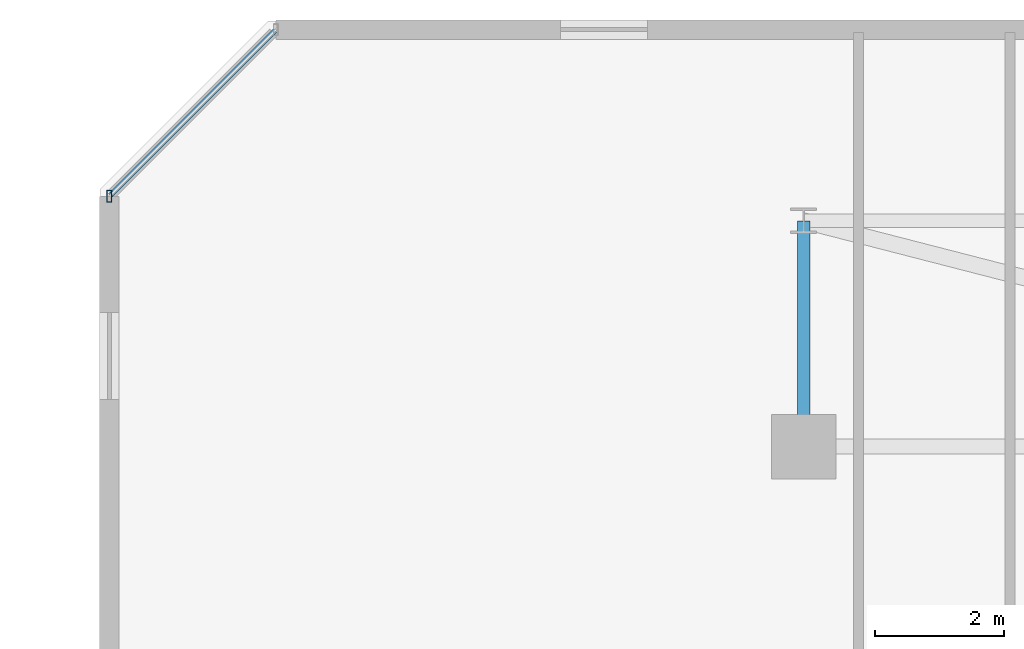
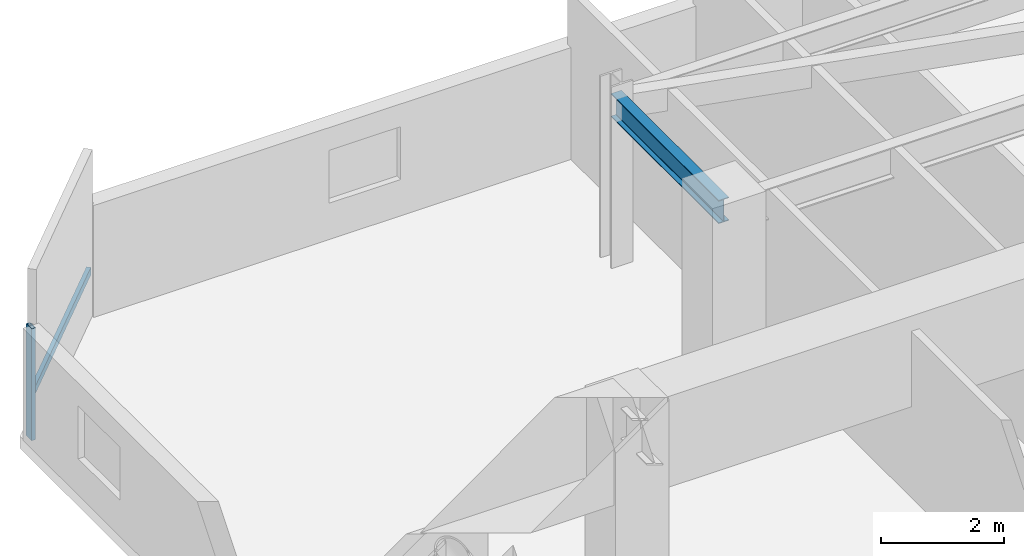
# One storey, part 7 of 35: 2 members, 1 beam, 1 element without a shape of its own.
"""IFC4 building model written with IfcOpenShell, lengths in metres."""

from ifc_helpers import new_model, si_unit, direction, frame, origin, origin_2d, place, context, subcontext, project, spatial, hollow_rectangle, i_section, extrude, material, material_profile, profile_set, type_object, element, aggregate, save


model = new_model("IFC4")

# Units and contexts
model_context = context("Model", 3, precision=1e-05, world=origin(), true_north=direction((0.0, 1.0)))
body_context = subcontext(model_context, "Body", "Model", "MODEL_VIEW")
ifc_project = project(units=[si_unit("LENGTHUNIT", "METRE"), si_unit("AREAUNIT", "SQUARE_METRE"), si_unit("VOLUMEUNIT", "CUBIC_METRE"), si_unit("PLANEANGLEUNIT", "RADIAN"), si_unit("MASSUNIT", "GRAM", prefix="KILO")], contexts=[model_context])

# Site, building, storey
site_placement = place(None, origin())
site = spatial("IfcSite", under=ifc_project, at=site_placement, CompositionType="ELEMENT")
building_placement = place(site_placement, origin())
building = spatial("IfcBuilding", under=site, at=building_placement, Name="Thornwick Lancets Civic Towers", CompositionType="ELEMENT")
storey_placement = place(building_placement, frame((0.0, 0.0, 225.89990234375)))
storey = spatial("IfcBuildingStorey", under=building, at=storey_placement, Name="L60", CompositionType="ELEMENT", Elevation=225.89990234375)

# Beam
ifc_material_1 = material(Name="Steel S355JR", Category="steel")
ifc_material_profile_1 = material_profile(ifc_material_1, i_section(OverallWidth=0.19189453125, OverallDepth=0.46337890625, WebThickness=0.010498046875, FlangeThickness=0.017578125, FilletRadius=0.01025390625, at=origin_2d()), Name="UKB 457x191x89")
ifc_profile_set_1 = profile_set([ifc_material_profile_1], Name="Steel S355JR")
beam_type = type_object("IfcBeamType", Name="BM_JOIST_457_89", PredefinedType="JOIST", material=ifc_profile_set_1)
beam_placement = place(storey_placement, frame((12.5, 44.300048828125, 3.08837890625), z_axis=(0.0, 1.0, 0.0), x_axis=(-1.0, 0.0, 0.0)))
element("IfcBeam", 1, at=beam_placement, inside=storey, type_object=beam_type, Name="BM-RAD-L60-A07", PredefinedType="JOIST", context=body_context, shape_type="SweptSolid", body=[
    extrude(i_section(OverallWidth=0.19189453125, OverallDepth=0.46337890625, WebThickness=0.010498046875, FlangeThickness=0.017578125, FilletRadius=0.01025390625, at=origin_2d()), origin(), (0.0, 0.0, 1.0), 3.5),
])

# Curtain wall, members
ifc_material_2 = material(Name="High-zone chamfered-corner unitised glass curtain wall", Category="glass")
curtain_wall_type = type_object("IfcCurtainWallType", Name="CW_SYS_05", PredefinedType="NOTDEFINED", material=ifc_material_2)
curtain_wall_placement = place(storey_placement, origin())
curtain_wall = element("IfcCurtainWall", 2, at=curtain_wall_placement, inside=storey, type_object=curtain_wall_type, Name="L60 Curtain Wall CW-L60-A-E5", PredefinedType="NOTDEFINED")
ifc_material_3 = material(Name="Thermally broken bronze aluminium S355", Category="steel")
ifc_material_profile_2 = material_profile(ifc_material_3, hollow_rectangle(XDim=0.074951171875, YDim=0.179931640625, WallThickness=0.006103515625, at=origin_2d()), Name="RHS 180x75x6")
ifc_profile_set_2 = profile_set([ifc_material_profile_2], Name="Thermally broken bronze aluminium S355")
member_type_1 = type_object("IfcMemberType", Name="CW_MUL_180", PredefinedType="MULLION", material=ifc_profile_set_2)
member_1_placement = place(storey_placement, frame((1.7353515625, 48.181396484375, 0.0), z_axis=(0.0, 0.0, 1.0), x_axis=(1.0, 0.0, 0.0)))
member_1 = element("IfcMember", 3, at=member_1_placement, type_object=member_type_1, Name="CW-L60-A-E5 Mullion 1", PredefinedType="MULLION", context=body_context, shape_type="SweptSolid", body=[
    extrude(hollow_rectangle(XDim=0.074951171875, YDim=0.179931640625, WallThickness=0.006103515625, at=origin_2d()), origin(), (0.0, 0.0, 1.0), 2.22021484375),
])
ifc_material_profile_3 = material_profile(ifc_material_3, hollow_rectangle(XDim=0.074951171875, YDim=0.14990234375, WallThickness=0.0048828125, at=origin_2d()), Name="RHS 150x75x5")
ifc_profile_set_3 = profile_set([ifc_material_profile_3], Name="Thermally broken bronze aluminium S355")
member_type_2 = type_object("IfcMemberType", Name="CW_TRN_150", PredefinedType="USERDEFINED", material=ifc_profile_set_3)
member_2_placement = place(storey_placement, frame((4.304443359375, 50.75048828125, 0.85009765625), z_axis=(-0.707106781187, -0.707106781187, 0.0), x_axis=(0.707106781187, -0.707106781187, 0.0)))
member_2 = element("IfcMember", 4, at=member_2_placement, type_object=member_type_2, Name="CW-L60-A-E5 Transom 0", ObjectType="TRANSOM", PredefinedType="USERDEFINED", context=body_context, shape_type="SweptSolid", body=[
    extrude(hollow_rectangle(XDim=0.074951171875, YDim=0.14990234375, WallThickness=0.0048828125, at=origin_2d()), origin(), (0.0, 0.0, 1.0), 3.61328125),
])
aggregate(curtain_wall, [member_1, member_2])

save(model, "model.ifc")
